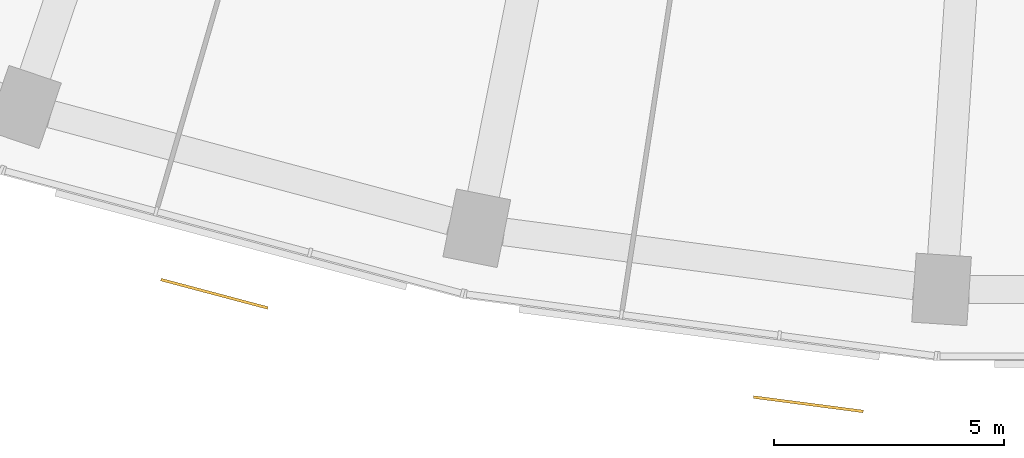
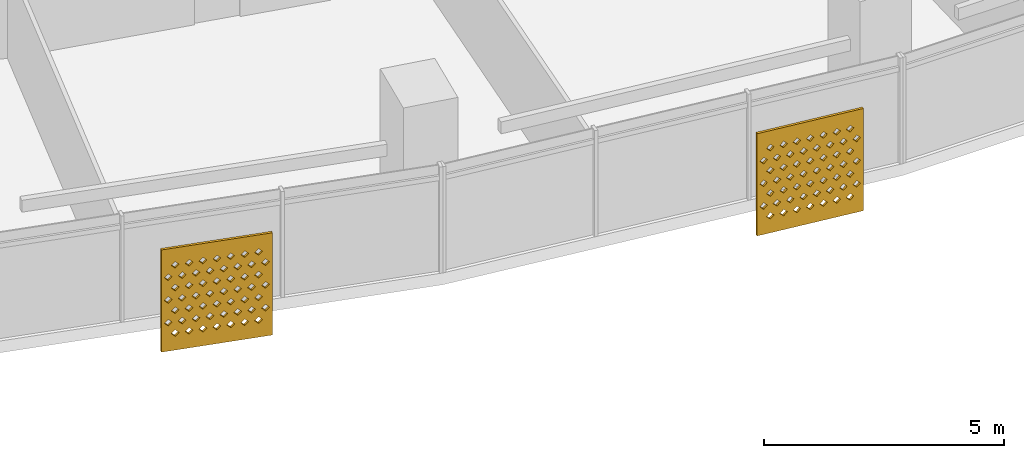
# One storey, part 25 of 29: 2 shading devices.
"""IFC4 building model written with IfcOpenShell, lengths in metres."""

from ifc_helpers import new_model, si_unit, direction, frame, origin, place, context, subcontext, project, spatial, polyline, outline, extrude, material, material_profile, profile_set, type_object, element, save


model = new_model("IFC4")

# Units and contexts
model_context = context("Model", 3, precision=1e-05, world=origin(), true_north=direction((0.0, 1.0)))
body_context = subcontext(model_context, "Body", "Model", "MODEL_VIEW")
ifc_project = project(units=[si_unit("LENGTHUNIT", "METRE"), si_unit("AREAUNIT", "SQUARE_METRE"), si_unit("VOLUMEUNIT", "CUBIC_METRE"), si_unit("PLANEANGLEUNIT", "RADIAN"), si_unit("MASSUNIT", "GRAM", prefix="KILO")], contexts=[model_context])

# Site, building, storey
site_placement = place(None, origin())
site = spatial("IfcSite", under=ifc_project, at=site_placement, CompositionType="ELEMENT")
building_placement = place(site_placement, origin())
building = spatial("IfcBuilding", under=site, at=building_placement, Name="Qamariyya Broadcast Tower", CompositionType="ELEMENT")
storey_placement = place(building_placement, frame((0.0, 0.0, 113.89990234375)))
storey = spatial("IfcBuildingStorey", under=building, at=storey_placement, Name="L25", CompositionType="ELEMENT", Elevation=113.89990234375)

# Shading devices
ifc_material = material(Name="Perforated glazed terracotta", Category="masonry")
ifc_material_profile = material_profile(ifc_material, outline(polyline([(-1.199951171875, -1.300048828125), (1.199951171875, -1.300048828125), (1.199951171875, 1.300048828125), (-1.199951171875, 1.300048828125), (-1.199951171875, -1.300048828125)]), holes=[polyline([(-0.81494140625, -0.86669921875), (-0.89990234375, -0.78173828125), (-0.985107421875, -0.86669921875), (-0.89990234375, -0.95166015625), (-0.81494140625, -0.86669921875)]), polyline([(-0.514892578125, -0.86669921875), (-0.60009765625, -0.78173828125), (-0.68505859375, -0.86669921875), (-0.60009765625, -0.95166015625), (-0.514892578125, -0.86669921875)]), polyline([(-0.215087890625, -0.86669921875), (-0.300048828125, -0.78173828125), (-0.385009765625, -0.86669921875), (-0.300048828125, -0.95166015625), (-0.215087890625, -0.86669921875)]), polyline([(0.0849609375, -0.86669921875), (0.0, -0.78173828125), (-0.0849609375, -0.86669921875), (0.0, -0.95166015625), (0.0849609375, -0.86669921875)]), polyline([(0.385009765625, -0.86669921875), (0.300048828125, -0.78173828125), (0.215087890625, -0.86669921875), (0.300048828125, -0.95166015625), (0.385009765625, -0.86669921875)]), polyline([(0.68505859375, -0.86669921875), (0.60009765625, -0.78173828125), (0.514892578125, -0.86669921875), (0.60009765625, -0.95166015625), (0.68505859375, -0.86669921875)]), polyline([(0.985107421875, -0.86669921875), (0.89990234375, -0.78173828125), (0.81494140625, -0.86669921875), (0.89990234375, -0.95166015625), (0.985107421875, -0.86669921875)]), polyline([(-0.965087890625, -0.577880859375), (-1.050048828125, -0.49267578125), (-1.135009765625, -0.577880859375), (-1.050048828125, -0.662841796875), (-0.965087890625, -0.577880859375)]), polyline([(-0.6650390625, -0.577880859375), (-0.75, -0.49267578125), (-0.8349609375, -0.577880859375), (-0.75, -0.662841796875), (-0.6650390625, -0.577880859375)]), polyline([(-0.364990234375, -0.577880859375), (-0.449951171875, -0.49267578125), (-0.534912109375, -0.577880859375), (-0.449951171875, -0.662841796875), (-0.364990234375, -0.577880859375)]), polyline([(-0.06494140625, -0.577880859375), (-0.14990234375, -0.49267578125), (-0.235107421875, -0.577880859375), (-0.14990234375, -0.662841796875), (-0.06494140625, -0.577880859375)]), polyline([(0.235107421875, -0.577880859375), (0.14990234375, -0.49267578125), (0.06494140625, -0.577880859375), (0.14990234375, -0.662841796875), (0.235107421875, -0.577880859375)]), polyline([(0.534912109375, -0.577880859375), (0.449951171875, -0.49267578125), (0.364990234375, -0.577880859375), (0.449951171875, -0.662841796875), (0.534912109375, -0.577880859375)]), polyline([(0.8349609375, -0.577880859375), (0.75, -0.49267578125), (0.6650390625, -0.577880859375), (0.75, -0.662841796875), (0.8349609375, -0.577880859375)]), polyline([(1.135009765625, -0.577880859375), (1.050048828125, -0.49267578125), (0.965087890625, -0.577880859375), (1.050048828125, -0.662841796875), (1.135009765625, -0.577880859375)]), polyline([(-0.81494140625, -0.288818359375), (-0.89990234375, -0.203857421875), (-0.985107421875, -0.288818359375), (-0.89990234375, -0.373779296875), (-0.81494140625, -0.288818359375)]), polyline([(-0.514892578125, -0.288818359375), (-0.60009765625, -0.203857421875), (-0.68505859375, -0.288818359375), (-0.60009765625, -0.373779296875), (-0.514892578125, -0.288818359375)]), polyline([(-0.215087890625, -0.288818359375), (-0.300048828125, -0.203857421875), (-0.385009765625, -0.288818359375), (-0.300048828125, -0.373779296875), (-0.215087890625, -0.288818359375)]), polyline([(0.0849609375, -0.288818359375), (0.0, -0.203857421875), (-0.0849609375, -0.288818359375), (0.0, -0.373779296875), (0.0849609375, -0.288818359375)]), polyline([(0.385009765625, -0.288818359375), (0.300048828125, -0.203857421875), (0.215087890625, -0.288818359375), (0.300048828125, -0.373779296875), (0.385009765625, -0.288818359375)]), polyline([(0.68505859375, -0.288818359375), (0.60009765625, -0.203857421875), (0.514892578125, -0.288818359375), (0.60009765625, -0.373779296875), (0.68505859375, -0.288818359375)]), polyline([(0.985107421875, -0.288818359375), (0.89990234375, -0.203857421875), (0.81494140625, -0.288818359375), (0.89990234375, -0.373779296875), (0.985107421875, -0.288818359375)]), polyline([(-0.965087890625, 0.0), (-1.050048828125, 0.0849609375), (-1.135009765625, 0.0), (-1.050048828125, -0.0849609375), (-0.965087890625, 0.0)]), polyline([(-0.6650390625, 0.0), (-0.75, 0.0849609375), (-0.8349609375, 0.0), (-0.75, -0.0849609375), (-0.6650390625, 0.0)]), polyline([(-0.364990234375, 0.0), (-0.449951171875, 0.0849609375), (-0.534912109375, 0.0), (-0.449951171875, -0.0849609375), (-0.364990234375, 0.0)]), polyline([(-0.06494140625, 0.0), (-0.14990234375, 0.0849609375), (-0.235107421875, 0.0), (-0.14990234375, -0.0849609375), (-0.06494140625, 0.0)]), polyline([(0.235107421875, 0.0), (0.14990234375, 0.0849609375), (0.06494140625, 0.0), (0.14990234375, -0.0849609375), (0.235107421875, 0.0)]), polyline([(0.534912109375, 0.0), (0.449951171875, 0.0849609375), (0.364990234375, 0.0), (0.449951171875, -0.0849609375), (0.534912109375, 0.0)]), polyline([(0.8349609375, 0.0), (0.75, 0.0849609375), (0.6650390625, 0.0), (0.75, -0.0849609375), (0.8349609375, 0.0)]), polyline([(1.135009765625, 0.0), (1.050048828125, 0.0849609375), (0.965087890625, 0.0), (1.050048828125, -0.0849609375), (1.135009765625, 0.0)]), polyline([(-0.81494140625, 0.288818359375), (-0.89990234375, 0.373779296875), (-0.985107421875, 0.288818359375), (-0.89990234375, 0.203857421875), (-0.81494140625, 0.288818359375)]), polyline([(-0.514892578125, 0.288818359375), (-0.60009765625, 0.373779296875), (-0.68505859375, 0.288818359375), (-0.60009765625, 0.203857421875), (-0.514892578125, 0.288818359375)]), polyline([(-0.215087890625, 0.288818359375), (-0.300048828125, 0.373779296875), (-0.385009765625, 0.288818359375), (-0.300048828125, 0.203857421875), (-0.215087890625, 0.288818359375)]), polyline([(0.0849609375, 0.288818359375), (0.0, 0.373779296875), (-0.0849609375, 0.288818359375), (0.0, 0.203857421875), (0.0849609375, 0.288818359375)]), polyline([(0.385009765625, 0.288818359375), (0.300048828125, 0.373779296875), (0.215087890625, 0.288818359375), (0.300048828125, 0.203857421875), (0.385009765625, 0.288818359375)]), polyline([(0.68505859375, 0.288818359375), (0.60009765625, 0.373779296875), (0.514892578125, 0.288818359375), (0.60009765625, 0.203857421875), (0.68505859375, 0.288818359375)]), polyline([(0.985107421875, 0.288818359375), (0.89990234375, 0.373779296875), (0.81494140625, 0.288818359375), (0.89990234375, 0.203857421875), (0.985107421875, 0.288818359375)]), polyline([(-0.965087890625, 0.577880859375), (-1.050048828125, 0.662841796875), (-1.135009765625, 0.577880859375), (-1.050048828125, 0.49267578125), (-0.965087890625, 0.577880859375)]), polyline([(-0.6650390625, 0.577880859375), (-0.75, 0.662841796875), (-0.8349609375, 0.577880859375), (-0.75, 0.49267578125), (-0.6650390625, 0.577880859375)]), polyline([(-0.364990234375, 0.577880859375), (-0.449951171875, 0.662841796875), (-0.534912109375, 0.577880859375), (-0.449951171875, 0.49267578125), (-0.364990234375, 0.577880859375)]), polyline([(-0.06494140625, 0.577880859375), (-0.14990234375, 0.662841796875), (-0.235107421875, 0.577880859375), (-0.14990234375, 0.49267578125), (-0.06494140625, 0.577880859375)]), polyline([(0.235107421875, 0.577880859375), (0.14990234375, 0.662841796875), (0.06494140625, 0.577880859375), (0.14990234375, 0.49267578125), (0.235107421875, 0.577880859375)]), polyline([(0.534912109375, 0.577880859375), (0.449951171875, 0.662841796875), (0.364990234375, 0.577880859375), (0.449951171875, 0.49267578125), (0.534912109375, 0.577880859375)]), polyline([(0.8349609375, 0.577880859375), (0.75, 0.662841796875), (0.6650390625, 0.577880859375), (0.75, 0.49267578125), (0.8349609375, 0.577880859375)]), polyline([(1.135009765625, 0.577880859375), (1.050048828125, 0.662841796875), (0.965087890625, 0.577880859375), (1.050048828125, 0.49267578125), (1.135009765625, 0.577880859375)]), polyline([(-0.81494140625, 0.86669921875), (-0.89990234375, 0.95166015625), (-0.985107421875, 0.86669921875), (-0.89990234375, 0.78173828125), (-0.81494140625, 0.86669921875)]), polyline([(-0.514892578125, 0.86669921875), (-0.60009765625, 0.95166015625), (-0.68505859375, 0.86669921875), (-0.60009765625, 0.78173828125), (-0.514892578125, 0.86669921875)]), polyline([(-0.215087890625, 0.86669921875), (-0.300048828125, 0.95166015625), (-0.385009765625, 0.86669921875), (-0.300048828125, 0.78173828125), (-0.215087890625, 0.86669921875)]), polyline([(0.0849609375, 0.86669921875), (0.0, 0.95166015625), (-0.0849609375, 0.86669921875), (0.0, 0.78173828125), (0.0849609375, 0.86669921875)]), polyline([(0.385009765625, 0.86669921875), (0.300048828125, 0.95166015625), (0.215087890625, 0.86669921875), (0.300048828125, 0.78173828125), (0.385009765625, 0.86669921875)]), polyline([(0.68505859375, 0.86669921875), (0.60009765625, 0.95166015625), (0.514892578125, 0.86669921875), (0.60009765625, 0.78173828125), (0.68505859375, 0.86669921875)]), polyline([(0.985107421875, 0.86669921875), (0.89990234375, 0.95166015625), (0.81494140625, 0.86669921875), (0.89990234375, 0.78173828125), (0.985107421875, 0.86669921875)])]))
ifc_profile_set = profile_set([ifc_material_profile], Name="Perforated glazed terracotta")
shading_device_type = type_object("IfcShadingDeviceType", Name="Perforated terracotta screen 2400 x 2600", PredefinedType="USERDEFINED", material=ifc_profile_set)
shading_device_1_placement = place(storey_placement, frame((-20.854248046875, -77.648681640625, 1.35009765625), z_axis=(-0.256901156343, -0.966437683387, 0.0), x_axis=(0.966437683387, -0.256901156343, 0.0)))
element("IfcShadingDevice", 1, at=shading_device_1_placement, inside=storey, type_object=shading_device_type, Name="e-scr-L25-07-1", ObjectType="SCREEN", PredefinedType="USERDEFINED", context=body_context, shape_type="SweptSolid", body=[
    extrude(outline(polyline([(-1.199951171875, -1.300048828125), (1.199951171875, -1.300048828125), (1.199951171875, 1.300048828125), (-1.199951171875, 1.300048828125), (-1.199951171875, -1.300048828125)]), holes=[polyline([(-0.81494140625, -0.86669921875), (-0.89990234375, -0.78173828125), (-0.985107421875, -0.86669921875), (-0.89990234375, -0.95166015625), (-0.81494140625, -0.86669921875)]), polyline([(-0.514892578125, -0.86669921875), (-0.60009765625, -0.78173828125), (-0.68505859375, -0.86669921875), (-0.60009765625, -0.95166015625), (-0.514892578125, -0.86669921875)]), polyline([(-0.215087890625, -0.86669921875), (-0.300048828125, -0.78173828125), (-0.385009765625, -0.86669921875), (-0.300048828125, -0.95166015625), (-0.215087890625, -0.86669921875)]), polyline([(0.0849609375, -0.86669921875), (0.0, -0.78173828125), (-0.0849609375, -0.86669921875), (0.0, -0.95166015625), (0.0849609375, -0.86669921875)]), polyline([(0.385009765625, -0.86669921875), (0.300048828125, -0.78173828125), (0.215087890625, -0.86669921875), (0.300048828125, -0.95166015625), (0.385009765625, -0.86669921875)]), polyline([(0.68505859375, -0.86669921875), (0.60009765625, -0.78173828125), (0.514892578125, -0.86669921875), (0.60009765625, -0.95166015625), (0.68505859375, -0.86669921875)]), polyline([(0.985107421875, -0.86669921875), (0.89990234375, -0.78173828125), (0.81494140625, -0.86669921875), (0.89990234375, -0.95166015625), (0.985107421875, -0.86669921875)]), polyline([(-0.965087890625, -0.577880859375), (-1.050048828125, -0.49267578125), (-1.135009765625, -0.577880859375), (-1.050048828125, -0.662841796875), (-0.965087890625, -0.577880859375)]), polyline([(-0.6650390625, -0.577880859375), (-0.75, -0.49267578125), (-0.8349609375, -0.577880859375), (-0.75, -0.662841796875), (-0.6650390625, -0.577880859375)]), polyline([(-0.364990234375, -0.577880859375), (-0.449951171875, -0.49267578125), (-0.534912109375, -0.577880859375), (-0.449951171875, -0.662841796875), (-0.364990234375, -0.577880859375)]), polyline([(-0.06494140625, -0.577880859375), (-0.14990234375, -0.49267578125), (-0.235107421875, -0.577880859375), (-0.14990234375, -0.662841796875), (-0.06494140625, -0.577880859375)]), polyline([(0.235107421875, -0.577880859375), (0.14990234375, -0.49267578125), (0.06494140625, -0.577880859375), (0.14990234375, -0.662841796875), (0.235107421875, -0.577880859375)]), polyline([(0.534912109375, -0.577880859375), (0.449951171875, -0.49267578125), (0.364990234375, -0.577880859375), (0.449951171875, -0.662841796875), (0.534912109375, -0.577880859375)]), polyline([(0.8349609375, -0.577880859375), (0.75, -0.49267578125), (0.6650390625, -0.577880859375), (0.75, -0.662841796875), (0.8349609375, -0.577880859375)]), polyline([(1.135009765625, -0.577880859375), (1.050048828125, -0.49267578125), (0.965087890625, -0.577880859375), (1.050048828125, -0.662841796875), (1.135009765625, -0.577880859375)]), polyline([(-0.81494140625, -0.288818359375), (-0.89990234375, -0.203857421875), (-0.985107421875, -0.288818359375), (-0.89990234375, -0.373779296875), (-0.81494140625, -0.288818359375)]), polyline([(-0.514892578125, -0.288818359375), (-0.60009765625, -0.203857421875), (-0.68505859375, -0.288818359375), (-0.60009765625, -0.373779296875), (-0.514892578125, -0.288818359375)]), polyline([(-0.215087890625, -0.288818359375), (-0.300048828125, -0.203857421875), (-0.385009765625, -0.288818359375), (-0.300048828125, -0.373779296875), (-0.215087890625, -0.288818359375)]), polyline([(0.0849609375, -0.288818359375), (0.0, -0.203857421875), (-0.0849609375, -0.288818359375), (0.0, -0.373779296875), (0.0849609375, -0.288818359375)]), polyline([(0.385009765625, -0.288818359375), (0.300048828125, -0.203857421875), (0.215087890625, -0.288818359375), (0.300048828125, -0.373779296875), (0.385009765625, -0.288818359375)]), polyline([(0.68505859375, -0.288818359375), (0.60009765625, -0.203857421875), (0.514892578125, -0.288818359375), (0.60009765625, -0.373779296875), (0.68505859375, -0.288818359375)]), polyline([(0.985107421875, -0.288818359375), (0.89990234375, -0.203857421875), (0.81494140625, -0.288818359375), (0.89990234375, -0.373779296875), (0.985107421875, -0.288818359375)]), polyline([(-0.965087890625, 0.0), (-1.050048828125, 0.0849609375), (-1.135009765625, 0.0), (-1.050048828125, -0.0849609375), (-0.965087890625, 0.0)]), polyline([(-0.6650390625, 0.0), (-0.75, 0.0849609375), (-0.8349609375, 0.0), (-0.75, -0.0849609375), (-0.6650390625, 0.0)]), polyline([(-0.364990234375, 0.0), (-0.449951171875, 0.0849609375), (-0.534912109375, 0.0), (-0.449951171875, -0.0849609375), (-0.364990234375, 0.0)]), polyline([(-0.06494140625, 0.0), (-0.14990234375, 0.0849609375), (-0.235107421875, 0.0), (-0.14990234375, -0.0849609375), (-0.06494140625, 0.0)]), polyline([(0.235107421875, 0.0), (0.14990234375, 0.0849609375), (0.06494140625, 0.0), (0.14990234375, -0.0849609375), (0.235107421875, 0.0)]), polyline([(0.534912109375, 0.0), (0.449951171875, 0.0849609375), (0.364990234375, 0.0), (0.449951171875, -0.0849609375), (0.534912109375, 0.0)]), polyline([(0.8349609375, 0.0), (0.75, 0.0849609375), (0.6650390625, 0.0), (0.75, -0.0849609375), (0.8349609375, 0.0)]), polyline([(1.135009765625, 0.0), (1.050048828125, 0.0849609375), (0.965087890625, 0.0), (1.050048828125, -0.0849609375), (1.135009765625, 0.0)]), polyline([(-0.81494140625, 0.288818359375), (-0.89990234375, 0.373779296875), (-0.985107421875, 0.288818359375), (-0.89990234375, 0.203857421875), (-0.81494140625, 0.288818359375)]), polyline([(-0.514892578125, 0.288818359375), (-0.60009765625, 0.373779296875), (-0.68505859375, 0.288818359375), (-0.60009765625, 0.203857421875), (-0.514892578125, 0.288818359375)]), polyline([(-0.215087890625, 0.288818359375), (-0.300048828125, 0.373779296875), (-0.385009765625, 0.288818359375), (-0.300048828125, 0.203857421875), (-0.215087890625, 0.288818359375)]), polyline([(0.0849609375, 0.288818359375), (0.0, 0.373779296875), (-0.0849609375, 0.288818359375), (0.0, 0.203857421875), (0.0849609375, 0.288818359375)]), polyline([(0.385009765625, 0.288818359375), (0.300048828125, 0.373779296875), (0.215087890625, 0.288818359375), (0.300048828125, 0.203857421875), (0.385009765625, 0.288818359375)]), polyline([(0.68505859375, 0.288818359375), (0.60009765625, 0.373779296875), (0.514892578125, 0.288818359375), (0.60009765625, 0.203857421875), (0.68505859375, 0.288818359375)]), polyline([(0.985107421875, 0.288818359375), (0.89990234375, 0.373779296875), (0.81494140625, 0.288818359375), (0.89990234375, 0.203857421875), (0.985107421875, 0.288818359375)]), polyline([(-0.965087890625, 0.577880859375), (-1.050048828125, 0.662841796875), (-1.135009765625, 0.577880859375), (-1.050048828125, 0.49267578125), (-0.965087890625, 0.577880859375)]), polyline([(-0.6650390625, 0.577880859375), (-0.75, 0.662841796875), (-0.8349609375, 0.577880859375), (-0.75, 0.49267578125), (-0.6650390625, 0.577880859375)]), polyline([(-0.364990234375, 0.577880859375), (-0.449951171875, 0.662841796875), (-0.534912109375, 0.577880859375), (-0.449951171875, 0.49267578125), (-0.364990234375, 0.577880859375)]), polyline([(-0.06494140625, 0.577880859375), (-0.14990234375, 0.662841796875), (-0.235107421875, 0.577880859375), (-0.14990234375, 0.49267578125), (-0.06494140625, 0.577880859375)]), polyline([(0.235107421875, 0.577880859375), (0.14990234375, 0.662841796875), (0.06494140625, 0.577880859375), (0.14990234375, 0.49267578125), (0.235107421875, 0.577880859375)]), polyline([(0.534912109375, 0.577880859375), (0.449951171875, 0.662841796875), (0.364990234375, 0.577880859375), (0.449951171875, 0.49267578125), (0.534912109375, 0.577880859375)]), polyline([(0.8349609375, 0.577880859375), (0.75, 0.662841796875), (0.6650390625, 0.577880859375), (0.75, 0.49267578125), (0.8349609375, 0.577880859375)]), polyline([(1.135009765625, 0.577880859375), (1.050048828125, 0.662841796875), (0.965087890625, 0.577880859375), (1.050048828125, 0.49267578125), (1.135009765625, 0.577880859375)]), polyline([(-0.81494140625, 0.86669921875), (-0.89990234375, 0.95166015625), (-0.985107421875, 0.86669921875), (-0.89990234375, 0.78173828125), (-0.81494140625, 0.86669921875)]), polyline([(-0.514892578125, 0.86669921875), (-0.60009765625, 0.95166015625), (-0.68505859375, 0.86669921875), (-0.60009765625, 0.78173828125), (-0.514892578125, 0.86669921875)]), polyline([(-0.215087890625, 0.86669921875), (-0.300048828125, 0.95166015625), (-0.385009765625, 0.86669921875), (-0.300048828125, 0.78173828125), (-0.215087890625, 0.86669921875)]), polyline([(0.0849609375, 0.86669921875), (0.0, 0.95166015625), (-0.0849609375, 0.86669921875), (0.0, 0.78173828125), (0.0849609375, 0.86669921875)]), polyline([(0.385009765625, 0.86669921875), (0.300048828125, 0.95166015625), (0.215087890625, 0.86669921875), (0.300048828125, 0.78173828125), (0.385009765625, 0.86669921875)]), polyline([(0.68505859375, 0.86669921875), (0.60009765625, 0.95166015625), (0.514892578125, 0.86669921875), (0.60009765625, 0.78173828125), (0.68505859375, 0.86669921875)]), polyline([(0.985107421875, 0.86669921875), (0.89990234375, 0.95166015625), (0.81494140625, 0.86669921875), (0.89990234375, 0.78173828125), (0.985107421875, 0.86669921875)])]), origin(), (0.0, 0.0, 1.0), 0.059814453125),
])
shading_device_2_placement = place(storey_placement, frame((-7.969482421875, -80.044677734375, 1.35009765625), z_axis=(-0.1300340368, -0.991509530601, 0.0), x_axis=(0.991509530601, -0.1300340368, 0.0)))
element("IfcShadingDevice", 2, at=shading_device_2_placement, inside=storey, type_object=shading_device_type, Name="e-scr-L25-08-2", ObjectType="SCREEN", PredefinedType="USERDEFINED", context=body_context, shape_type="SweptSolid", body=[
    extrude(outline(polyline([(-1.199951171875, -1.300048828125), (1.199951171875, -1.300048828125), (1.199951171875, 1.300048828125), (-1.199951171875, 1.300048828125), (-1.199951171875, -1.300048828125)]), holes=[polyline([(-0.81494140625, -0.86669921875), (-0.89990234375, -0.78173828125), (-0.985107421875, -0.86669921875), (-0.89990234375, -0.95166015625), (-0.81494140625, -0.86669921875)]), polyline([(-0.514892578125, -0.86669921875), (-0.60009765625, -0.78173828125), (-0.68505859375, -0.86669921875), (-0.60009765625, -0.95166015625), (-0.514892578125, -0.86669921875)]), polyline([(-0.215087890625, -0.86669921875), (-0.300048828125, -0.78173828125), (-0.385009765625, -0.86669921875), (-0.300048828125, -0.95166015625), (-0.215087890625, -0.86669921875)]), polyline([(0.0849609375, -0.86669921875), (0.0, -0.78173828125), (-0.0849609375, -0.86669921875), (0.0, -0.95166015625), (0.0849609375, -0.86669921875)]), polyline([(0.385009765625, -0.86669921875), (0.300048828125, -0.78173828125), (0.215087890625, -0.86669921875), (0.300048828125, -0.95166015625), (0.385009765625, -0.86669921875)]), polyline([(0.68505859375, -0.86669921875), (0.60009765625, -0.78173828125), (0.514892578125, -0.86669921875), (0.60009765625, -0.95166015625), (0.68505859375, -0.86669921875)]), polyline([(0.985107421875, -0.86669921875), (0.89990234375, -0.78173828125), (0.81494140625, -0.86669921875), (0.89990234375, -0.95166015625), (0.985107421875, -0.86669921875)]), polyline([(-0.965087890625, -0.577880859375), (-1.050048828125, -0.49267578125), (-1.135009765625, -0.577880859375), (-1.050048828125, -0.662841796875), (-0.965087890625, -0.577880859375)]), polyline([(-0.6650390625, -0.577880859375), (-0.75, -0.49267578125), (-0.8349609375, -0.577880859375), (-0.75, -0.662841796875), (-0.6650390625, -0.577880859375)]), polyline([(-0.364990234375, -0.577880859375), (-0.449951171875, -0.49267578125), (-0.534912109375, -0.577880859375), (-0.449951171875, -0.662841796875), (-0.364990234375, -0.577880859375)]), polyline([(-0.06494140625, -0.577880859375), (-0.14990234375, -0.49267578125), (-0.235107421875, -0.577880859375), (-0.14990234375, -0.662841796875), (-0.06494140625, -0.577880859375)]), polyline([(0.235107421875, -0.577880859375), (0.14990234375, -0.49267578125), (0.06494140625, -0.577880859375), (0.14990234375, -0.662841796875), (0.235107421875, -0.577880859375)]), polyline([(0.534912109375, -0.577880859375), (0.449951171875, -0.49267578125), (0.364990234375, -0.577880859375), (0.449951171875, -0.662841796875), (0.534912109375, -0.577880859375)]), polyline([(0.8349609375, -0.577880859375), (0.75, -0.49267578125), (0.6650390625, -0.577880859375), (0.75, -0.662841796875), (0.8349609375, -0.577880859375)]), polyline([(1.135009765625, -0.577880859375), (1.050048828125, -0.49267578125), (0.965087890625, -0.577880859375), (1.050048828125, -0.662841796875), (1.135009765625, -0.577880859375)]), polyline([(-0.81494140625, -0.288818359375), (-0.89990234375, -0.203857421875), (-0.985107421875, -0.288818359375), (-0.89990234375, -0.373779296875), (-0.81494140625, -0.288818359375)]), polyline([(-0.514892578125, -0.288818359375), (-0.60009765625, -0.203857421875), (-0.68505859375, -0.288818359375), (-0.60009765625, -0.373779296875), (-0.514892578125, -0.288818359375)]), polyline([(-0.215087890625, -0.288818359375), (-0.300048828125, -0.203857421875), (-0.385009765625, -0.288818359375), (-0.300048828125, -0.373779296875), (-0.215087890625, -0.288818359375)]), polyline([(0.0849609375, -0.288818359375), (0.0, -0.203857421875), (-0.0849609375, -0.288818359375), (0.0, -0.373779296875), (0.0849609375, -0.288818359375)]), polyline([(0.385009765625, -0.288818359375), (0.300048828125, -0.203857421875), (0.215087890625, -0.288818359375), (0.300048828125, -0.373779296875), (0.385009765625, -0.288818359375)]), polyline([(0.68505859375, -0.288818359375), (0.60009765625, -0.203857421875), (0.514892578125, -0.288818359375), (0.60009765625, -0.373779296875), (0.68505859375, -0.288818359375)]), polyline([(0.985107421875, -0.288818359375), (0.89990234375, -0.203857421875), (0.81494140625, -0.288818359375), (0.89990234375, -0.373779296875), (0.985107421875, -0.288818359375)]), polyline([(-0.965087890625, 0.0), (-1.050048828125, 0.0849609375), (-1.135009765625, 0.0), (-1.050048828125, -0.0849609375), (-0.965087890625, 0.0)]), polyline([(-0.6650390625, 0.0), (-0.75, 0.0849609375), (-0.8349609375, 0.0), (-0.75, -0.0849609375), (-0.6650390625, 0.0)]), polyline([(-0.364990234375, 0.0), (-0.449951171875, 0.0849609375), (-0.534912109375, 0.0), (-0.449951171875, -0.0849609375), (-0.364990234375, 0.0)]), polyline([(-0.06494140625, 0.0), (-0.14990234375, 0.0849609375), (-0.235107421875, 0.0), (-0.14990234375, -0.0849609375), (-0.06494140625, 0.0)]), polyline([(0.235107421875, 0.0), (0.14990234375, 0.0849609375), (0.06494140625, 0.0), (0.14990234375, -0.0849609375), (0.235107421875, 0.0)]), polyline([(0.534912109375, 0.0), (0.449951171875, 0.0849609375), (0.364990234375, 0.0), (0.449951171875, -0.0849609375), (0.534912109375, 0.0)]), polyline([(0.8349609375, 0.0), (0.75, 0.0849609375), (0.6650390625, 0.0), (0.75, -0.0849609375), (0.8349609375, 0.0)]), polyline([(1.135009765625, 0.0), (1.050048828125, 0.0849609375), (0.965087890625, 0.0), (1.050048828125, -0.0849609375), (1.135009765625, 0.0)]), polyline([(-0.81494140625, 0.288818359375), (-0.89990234375, 0.373779296875), (-0.985107421875, 0.288818359375), (-0.89990234375, 0.203857421875), (-0.81494140625, 0.288818359375)]), polyline([(-0.514892578125, 0.288818359375), (-0.60009765625, 0.373779296875), (-0.68505859375, 0.288818359375), (-0.60009765625, 0.203857421875), (-0.514892578125, 0.288818359375)]), polyline([(-0.215087890625, 0.288818359375), (-0.300048828125, 0.373779296875), (-0.385009765625, 0.288818359375), (-0.300048828125, 0.203857421875), (-0.215087890625, 0.288818359375)]), polyline([(0.0849609375, 0.288818359375), (0.0, 0.373779296875), (-0.0849609375, 0.288818359375), (0.0, 0.203857421875), (0.0849609375, 0.288818359375)]), polyline([(0.385009765625, 0.288818359375), (0.300048828125, 0.373779296875), (0.215087890625, 0.288818359375), (0.300048828125, 0.203857421875), (0.385009765625, 0.288818359375)]), polyline([(0.68505859375, 0.288818359375), (0.60009765625, 0.373779296875), (0.514892578125, 0.288818359375), (0.60009765625, 0.203857421875), (0.68505859375, 0.288818359375)]), polyline([(0.985107421875, 0.288818359375), (0.89990234375, 0.373779296875), (0.81494140625, 0.288818359375), (0.89990234375, 0.203857421875), (0.985107421875, 0.288818359375)]), polyline([(-0.965087890625, 0.577880859375), (-1.050048828125, 0.662841796875), (-1.135009765625, 0.577880859375), (-1.050048828125, 0.49267578125), (-0.965087890625, 0.577880859375)]), polyline([(-0.6650390625, 0.577880859375), (-0.75, 0.662841796875), (-0.8349609375, 0.577880859375), (-0.75, 0.49267578125), (-0.6650390625, 0.577880859375)]), polyline([(-0.364990234375, 0.577880859375), (-0.449951171875, 0.662841796875), (-0.534912109375, 0.577880859375), (-0.449951171875, 0.49267578125), (-0.364990234375, 0.577880859375)]), polyline([(-0.06494140625, 0.577880859375), (-0.14990234375, 0.662841796875), (-0.235107421875, 0.577880859375), (-0.14990234375, 0.49267578125), (-0.06494140625, 0.577880859375)]), polyline([(0.235107421875, 0.577880859375), (0.14990234375, 0.662841796875), (0.06494140625, 0.577880859375), (0.14990234375, 0.49267578125), (0.235107421875, 0.577880859375)]), polyline([(0.534912109375, 0.577880859375), (0.449951171875, 0.662841796875), (0.364990234375, 0.577880859375), (0.449951171875, 0.49267578125), (0.534912109375, 0.577880859375)]), polyline([(0.8349609375, 0.577880859375), (0.75, 0.662841796875), (0.6650390625, 0.577880859375), (0.75, 0.49267578125), (0.8349609375, 0.577880859375)]), polyline([(1.135009765625, 0.577880859375), (1.050048828125, 0.662841796875), (0.965087890625, 0.577880859375), (1.050048828125, 0.49267578125), (1.135009765625, 0.577880859375)]), polyline([(-0.81494140625, 0.86669921875), (-0.89990234375, 0.95166015625), (-0.985107421875, 0.86669921875), (-0.89990234375, 0.78173828125), (-0.81494140625, 0.86669921875)]), polyline([(-0.514892578125, 0.86669921875), (-0.60009765625, 0.95166015625), (-0.68505859375, 0.86669921875), (-0.60009765625, 0.78173828125), (-0.514892578125, 0.86669921875)]), polyline([(-0.215087890625, 0.86669921875), (-0.300048828125, 0.95166015625), (-0.385009765625, 0.86669921875), (-0.300048828125, 0.78173828125), (-0.215087890625, 0.86669921875)]), polyline([(0.0849609375, 0.86669921875), (0.0, 0.95166015625), (-0.0849609375, 0.86669921875), (0.0, 0.78173828125), (0.0849609375, 0.86669921875)]), polyline([(0.385009765625, 0.86669921875), (0.300048828125, 0.95166015625), (0.215087890625, 0.86669921875), (0.300048828125, 0.78173828125), (0.385009765625, 0.86669921875)]), polyline([(0.68505859375, 0.86669921875), (0.60009765625, 0.95166015625), (0.514892578125, 0.86669921875), (0.60009765625, 0.78173828125), (0.68505859375, 0.86669921875)]), polyline([(0.985107421875, 0.86669921875), (0.89990234375, 0.95166015625), (0.81494140625, 0.86669921875), (0.89990234375, 0.78173828125), (0.985107421875, 0.86669921875)])]), origin(), (0.0, 0.0, 1.0), 0.06005859375),
])

save(model, "model.ifc")
